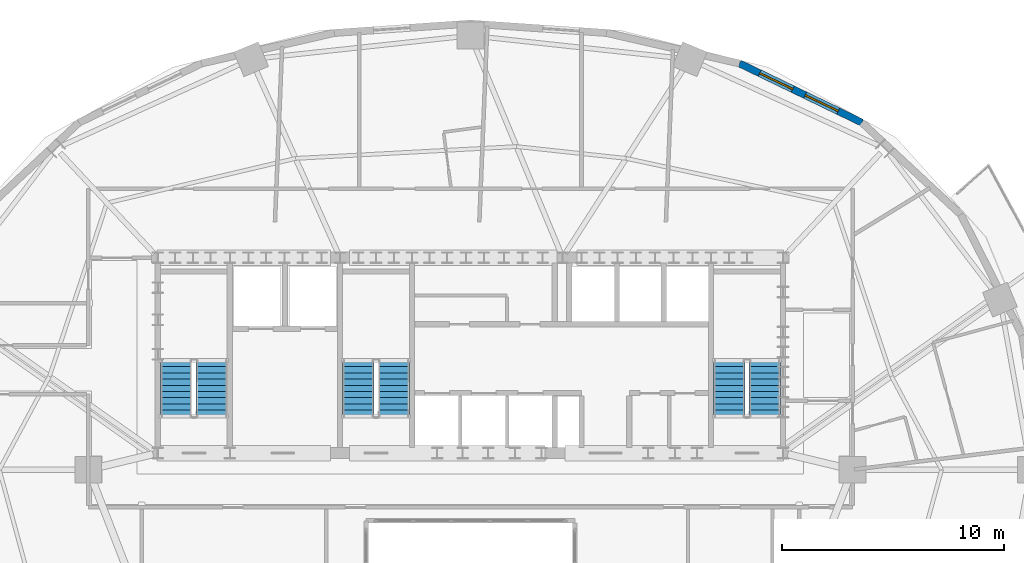
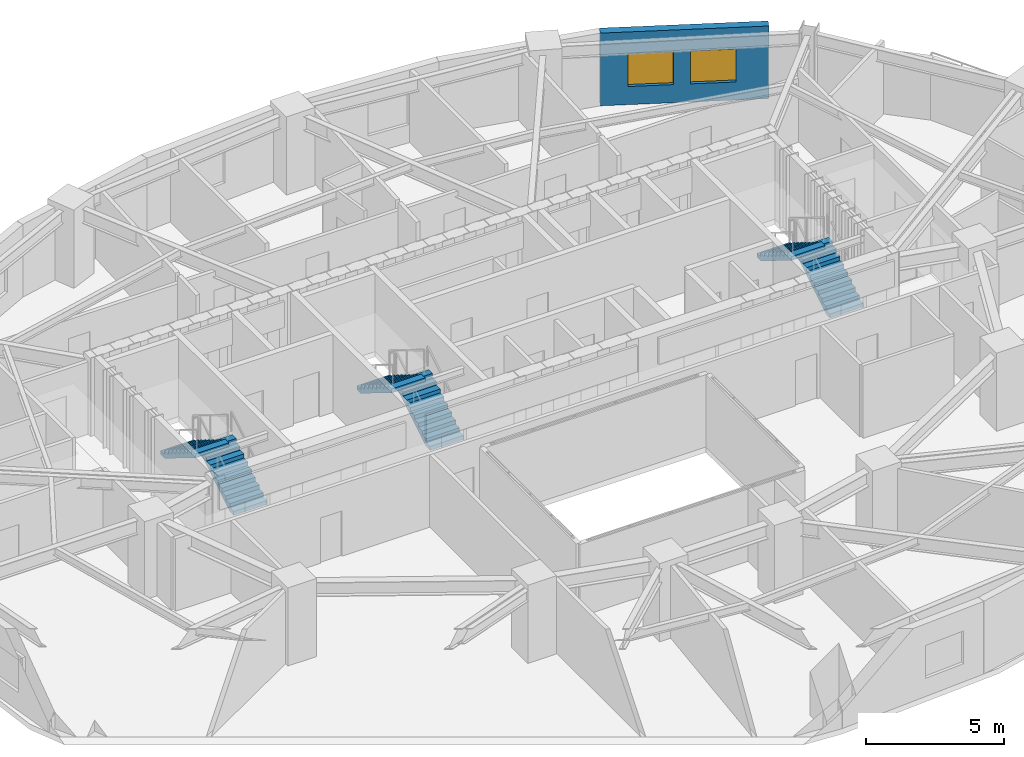
# One storey, part 9 of 13: 6 stair flights, 2 windows, 1 wall, 2 openings, 3 elements without a shape of their own.
"""IFC4 building model written with IfcOpenShell, lengths in metres."""

from ifc_helpers import new_model, si_unit, direction, frame, frame_2d, origin, place, context, subcontext, project, spatial, polyline, rectangle, outline, extrude, material, layer, layer_set, type_object, element, fill, aggregate, save


model = new_model("IFC4")

# Units and contexts
model_context = context("Model", 3, precision=1e-05, world=origin(), true_north=direction((0.0, 1.0)))
body_context = subcontext(model_context, "Body", "Model", "MODEL_VIEW")
ifc_project = project(units=[si_unit("LENGTHUNIT", "METRE"), si_unit("AREAUNIT", "SQUARE_METRE"), si_unit("VOLUMEUNIT", "CUBIC_METRE"), si_unit("PLANEANGLEUNIT", "RADIAN"), si_unit("MASSUNIT", "GRAM", prefix="KILO")], contexts=[model_context])

# Site, building, storey
site_placement = place(None, origin())
site = spatial("IfcSite", under=ifc_project, at=site_placement, CompositionType="ELEMENT")
building_placement = place(site_placement, origin())
building = spatial("IfcBuilding", under=site, at=building_placement, Name="Haldorwick Loom Tower", CompositionType="ELEMENT")
storey_placement = place(building_placement, frame((0.0, 0.0, 135.64990234375)))
storey = spatial("IfcBuildingStorey", under=building, at=storey_placement, Name="L36", CompositionType="ELEMENT", Elevation=135.64990234375)

# Wall, openings, windows
ifc_material_1 = material(Name="Pressed Clay Face Brick and Insulated Masonry Backup Assembly", Category="masonry")
ifc_layer = layer(ifc_material_1, 0.320068359375, Name="Pressed Clay Face Brick and Insulated Masonry Backup Assembly", Category="masonry")
ifc_layer_set = layer_set([ifc_layer], Name="Pressed Clay Face Brick and Insulated Masonry Backup Assembly")
wall_type = type_object("IfcWallType", Name="ARC-WL-EXT320", PredefinedType="STANDARD", material=ifc_layer_set)
wall_placement = place(storey_placement, frame((53.62109375, 41.628173828125, 0.0), z_axis=(0.0, 0.0, 1.0), x_axis=(-0.900472429216, 0.43491309962, 0.0)))
wall = element("IfcWall", 1, at=wall_placement, inside=storey, type_object=wall_type, Name="L36 Brick Pier and Spandrel Wall 4", PredefinedType="STANDARD", context=body_context, shape_type="SweptSolid", body=[
    extrude(rectangle(XDim=6.1181640625, YDim=0.320068359375, at=frame_2d((3.05908203125, 0.0))), origin(), (0.0, 0.0, 1.0), 3.210205078125),
])
opening_1_placement = place(wall_placement, frame((1.181884765625, 0.0, 0.800048828125)))
opening_1 = element("IfcOpeningElement", 2, at=opening_1_placement, cuts=wall, Name="Opening W-01B", PredefinedType="OPENING", context=body_context, shape_type="SweptSolid", body=[
    extrude(rectangle(XDim=1.64990234375, YDim=1.449951171875, at=frame_2d((0.824951171875, 0.72509765625))), frame((0.0, 0.169921875, 0.0), z_axis=(0.0, -1.0, 0.0), x_axis=(1.0, 0.0, 0.0)), (0.0, 0.0, 1.0), 0.340087890625),
])
opening_2_placement = place(wall_placement, frame((3.4580078125, 0.0, 0.800048828125)))
opening_2 = element("IfcOpeningElement", 3, at=opening_2_placement, cuts=wall, Name="Opening W-01B", PredefinedType="OPENING", context=body_context, shape_type="SweptSolid", body=[
    extrude(rectangle(XDim=1.64990234375, YDim=1.449951171875, at=frame_2d((0.824951171875, 0.72509765625))), frame((0.0, 0.169921875, 0.0), z_axis=(0.0, -1.0, 0.0), x_axis=(1.0, 0.0, 0.0)), (0.0, 0.0, 1.0), 0.340087890625),
])
ifc_material_2 = material(Name="Triple-Glazed Low-E Argon Insulated Glazing Unit", Category="glass")
window_type = type_object("IfcWindowType", Name="ARC-WIN-W165", PartitioningType="SINGLE_PANEL", PredefinedType="WINDOW", material=ifc_material_2)
window_1_placement = place(opening_1_placement, origin())
window_1 = element("IfcWindow", 4, at=window_1_placement, inside=storey, type_object=window_type, Name="L36 Deep-Set Zone 7A Window 4", OverallHeight=1.449951171875, OverallWidth=1.64990234375, PartitioningType="SINGLE_PANEL", PredefinedType="WINDOW", context=body_context, shape_type="SweptSolid", body=[
    extrude(rectangle(XDim=1.64990234375, YDim=1.449951171875, at=frame_2d((0.824951171875, 0.72509765625))), frame((0.0, 0.030029296875, 0.0), z_axis=(0.0, -1.0, 0.0), x_axis=(1.0, 0.0, 0.0)), (0.0, 0.0, 1.0), 0.06005859375),
])
fill(opening_1, window_1)
window_2_placement = place(opening_2_placement, origin())
window_2 = element("IfcWindow", 5, at=window_2_placement, inside=storey, type_object=window_type, Name="L36 Deep-Set Zone 7A Window 4", OverallHeight=1.449951171875, OverallWidth=1.64990234375, PartitioningType="SINGLE_PANEL", PredefinedType="WINDOW", context=body_context, shape_type="SweptSolid", body=[
    extrude(rectangle(XDim=1.64990234375, YDim=1.449951171875, at=frame_2d((0.824951171875, 0.72509765625))), frame((0.0, 0.030029296875, 0.0), z_axis=(0.0, -1.0, 0.0), x_axis=(1.0, 0.0, 0.0)), (0.0, 0.0, 1.0), 0.06005859375),
])
fill(opening_2, window_2)

# Stair, stair flights
ifc_material_3 = material(Name="Concrete C40 (40 MPa)", Category="concrete")
stair_type = type_object("IfcStairType", Name="STR-STR-CORE", PredefinedType="HALF_TURN_STAIR", material=ifc_material_3)
stair_1_placement = place(storey_placement, origin())
stair_1 = element("IfcStair", 6, at=stair_1_placement, inside=storey, type_object=stair_type, Name="L36 Exit Stair ST-01", PredefinedType="HALF_TURN_STAIR")
stair_flight_type = type_object("IfcStairFlightType", Name="STR-STF-1250", PredefinedType="STRAIGHT", material=ifc_material_3)
stair_flight_1_placement = place(storey_placement, frame((24.35009765625, 28.39990234375, 0.0), z_axis=(0.0, 0.0, 1.0), x_axis=(0.0, 1.0, 0.0)))
stair_flight_1 = element("IfcStairFlight", 7, at=stair_flight_1_placement, type_object=stair_flight_type, Name="ST-01 flight 1", NumberOfRisers=10, NumberOfTreads=9, PredefinedType="STRAIGHT", RiserHeight=0.1725, TreadLength=0.28, context=body_context, shape_type="SweptSolid", body=[
    extrude(outline(polyline([(0.0, 0.0), (0.0, 0.172607421875), (0.280029296875, 0.172607421875), (0.280029296875, 0.344970703125), (0.56005859375, 0.344970703125), (0.56005859375, 0.517578125), (0.840087890625, 0.517578125), (0.840087890625, 0.68994140625), (1.1201171875, 0.68994140625), (1.1201171875, 0.862548828125), (1.39990234375, 0.862548828125), (1.39990234375, 1.034912109375), (1.679931640625, 1.034912109375), (1.679931640625, 1.20751953125), (1.9599609375, 1.20751953125), (1.9599609375, 1.3798828125), (2.239990234375, 1.3798828125), (2.239990234375, 1.552490234375), (2.52001953125, 1.552490234375), (2.52001953125, 1.72509765625), (2.52001953125, 1.37646484375), (0.285888671875, 0.0), (0.0, 0.0)])), frame((0.0, 0.699951171875, 0.0), z_axis=(0.0, -1.0, 0.0), x_axis=(1.0, 0.0, 0.0)), (0.0, 0.0, 1.0), 1.39990234375),
])
stair_flight_2_placement = place(storey_placement, frame((22.75, 30.919921875, 1.72509765625), z_axis=(0.0, 0.0, 1.0), x_axis=(0.0, -1.0, 0.0)))
stair_flight_2 = element("IfcStairFlight", 8, at=stair_flight_2_placement, type_object=stair_flight_type, Name="ST-01 flight 2", NumberOfRisers=10, NumberOfTreads=9, PredefinedType="STRAIGHT", RiserHeight=0.1725, TreadLength=0.28, context=body_context, shape_type="SweptSolid", body=[
    extrude(outline(polyline([(0.0, 0.0), (0.0, 0.172607421875), (0.280029296875, 0.172607421875), (0.280029296875, 0.344970703125), (0.56005859375, 0.344970703125), (0.56005859375, 0.517578125), (0.840087890625, 0.517578125), (0.840087890625, 0.68994140625), (1.1201171875, 0.68994140625), (1.1201171875, 0.862548828125), (1.39990234375, 0.862548828125), (1.39990234375, 1.034912109375), (1.679931640625, 1.034912109375), (1.679931640625, 1.20751953125), (1.9599609375, 1.20751953125), (1.9599609375, 1.3798828125), (2.239990234375, 1.3798828125), (2.239990234375, 1.552490234375), (2.52001953125, 1.552490234375), (2.52001953125, 1.72509765625), (2.52001953125, 1.37646484375), (0.285888671875, 0.0), (0.0, 0.0)])), frame((0.0, 0.699951171875, 0.0), z_axis=(0.0, -1.0, 0.0), x_axis=(1.0, 0.0, 0.0)), (0.0, 0.0, 1.0), 1.39990234375),
])
aggregate(stair_1, [stair_flight_1, stair_flight_2])

stair_2_placement = place(storey_placement, origin())
stair_2 = element("IfcStair", 9, at=stair_2_placement, inside=storey, type_object=stair_type, Name="L36 Exit Stair ST-02", PredefinedType="HALF_TURN_STAIR")
stair_flight_3_placement = place(storey_placement, frame((49.25, 28.39990234375, 0.0), z_axis=(0.0, 0.0, 1.0), x_axis=(0.0, 1.0, 0.0)))
stair_flight_3 = element("IfcStairFlight", 10, at=stair_flight_3_placement, type_object=stair_flight_type, Name="ST-02 flight 1", NumberOfRisers=10, NumberOfTreads=9, PredefinedType="STRAIGHT", RiserHeight=0.1725, TreadLength=0.28, context=body_context, shape_type="SweptSolid", body=[
    extrude(outline(polyline([(0.0, 0.0), (0.0, 0.172607421875), (0.280029296875, 0.172607421875), (0.280029296875, 0.344970703125), (0.56005859375, 0.344970703125), (0.56005859375, 0.517578125), (0.840087890625, 0.517578125), (0.840087890625, 0.68994140625), (1.1201171875, 0.68994140625), (1.1201171875, 0.862548828125), (1.39990234375, 0.862548828125), (1.39990234375, 1.034912109375), (1.679931640625, 1.034912109375), (1.679931640625, 1.20751953125), (1.9599609375, 1.20751953125), (1.9599609375, 1.3798828125), (2.239990234375, 1.3798828125), (2.239990234375, 1.552490234375), (2.52001953125, 1.552490234375), (2.52001953125, 1.72509765625), (2.52001953125, 1.37646484375), (0.285888671875, 0.0), (0.0, 0.0)])), frame((0.0, 0.699951171875, 0.0), z_axis=(0.0, -1.0, 0.0), x_axis=(1.0, 0.0, 0.0)), (0.0, 0.0, 1.0), 1.39990234375),
])
stair_flight_4_placement = place(storey_placement, frame((47.64990234375, 30.919921875, 1.72509765625), z_axis=(0.0, 0.0, 1.0), x_axis=(0.0, -1.0, 0.0)))
stair_flight_4 = element("IfcStairFlight", 11, at=stair_flight_4_placement, type_object=stair_flight_type, Name="ST-02 flight 2", NumberOfRisers=10, NumberOfTreads=9, PredefinedType="STRAIGHT", RiserHeight=0.1725, TreadLength=0.28, context=body_context, shape_type="SweptSolid", body=[
    extrude(outline(polyline([(0.0, 0.0), (0.0, 0.172607421875), (0.280029296875, 0.172607421875), (0.280029296875, 0.344970703125), (0.56005859375, 0.344970703125), (0.56005859375, 0.517578125), (0.840087890625, 0.517578125), (0.840087890625, 0.68994140625), (1.1201171875, 0.68994140625), (1.1201171875, 0.862548828125), (1.39990234375, 0.862548828125), (1.39990234375, 1.034912109375), (1.679931640625, 1.034912109375), (1.679931640625, 1.20751953125), (1.9599609375, 1.20751953125), (1.9599609375, 1.3798828125), (2.239990234375, 1.3798828125), (2.239990234375, 1.552490234375), (2.52001953125, 1.552490234375), (2.52001953125, 1.72509765625), (2.52001953125, 1.37646484375), (0.285888671875, 0.0), (0.0, 0.0)])), frame((0.0, 0.699951171875, 0.0), z_axis=(0.0, -1.0, 0.0), x_axis=(1.0, 0.0, 0.0)), (0.0, 0.0, 1.0), 1.39990234375),
])
aggregate(stair_2, [stair_flight_3, stair_flight_4])

stair_3_placement = place(storey_placement, origin())
stair_3 = element("IfcStair", 12, at=stair_3_placement, inside=storey, type_object=stair_type, Name="L36 Exit Stair ST-03", PredefinedType="HALF_TURN_STAIR")
stair_flight_5_placement = place(storey_placement, frame((32.550048828125, 28.39990234375, 0.0), z_axis=(0.0, 0.0, 1.0), x_axis=(0.0, 1.0, 0.0)))
stair_flight_5 = element("IfcStairFlight", 13, at=stair_flight_5_placement, type_object=stair_flight_type, Name="ST-03 flight 1", NumberOfRisers=10, NumberOfTreads=9, PredefinedType="STRAIGHT", RiserHeight=0.1725, TreadLength=0.28, context=body_context, shape_type="SweptSolid", body=[
    extrude(outline(polyline([(0.0, 0.0), (0.0, 0.172607421875), (0.280029296875, 0.172607421875), (0.280029296875, 0.344970703125), (0.56005859375, 0.344970703125), (0.56005859375, 0.517578125), (0.840087890625, 0.517578125), (0.840087890625, 0.68994140625), (1.1201171875, 0.68994140625), (1.1201171875, 0.862548828125), (1.39990234375, 0.862548828125), (1.39990234375, 1.034912109375), (1.679931640625, 1.034912109375), (1.679931640625, 1.20751953125), (1.9599609375, 1.20751953125), (1.9599609375, 1.3798828125), (2.239990234375, 1.3798828125), (2.239990234375, 1.552490234375), (2.52001953125, 1.552490234375), (2.52001953125, 1.72509765625), (2.52001953125, 1.37646484375), (0.285888671875, 0.0), (0.0, 0.0)])), frame((0.0, 0.699951171875, 0.0), z_axis=(0.0, -1.0, 0.0), x_axis=(1.0, 0.0, 0.0)), (0.0, 0.0, 1.0), 1.39990234375),
])
stair_flight_6_placement = place(storey_placement, frame((30.949951171875, 30.919921875, 1.72509765625), z_axis=(0.0, 0.0, 1.0), x_axis=(0.0, -1.0, 0.0)))
stair_flight_6 = element("IfcStairFlight", 14, at=stair_flight_6_placement, type_object=stair_flight_type, Name="ST-03 flight 2", NumberOfRisers=10, NumberOfTreads=9, PredefinedType="STRAIGHT", RiserHeight=0.1725, TreadLength=0.28, context=body_context, shape_type="SweptSolid", body=[
    extrude(outline(polyline([(0.0, 0.0), (0.0, 0.172607421875), (0.280029296875, 0.172607421875), (0.280029296875, 0.344970703125), (0.56005859375, 0.344970703125), (0.56005859375, 0.517578125), (0.840087890625, 0.517578125), (0.840087890625, 0.68994140625), (1.1201171875, 0.68994140625), (1.1201171875, 0.862548828125), (1.39990234375, 0.862548828125), (1.39990234375, 1.034912109375), (1.679931640625, 1.034912109375), (1.679931640625, 1.20751953125), (1.9599609375, 1.20751953125), (1.9599609375, 1.3798828125), (2.239990234375, 1.3798828125), (2.239990234375, 1.552490234375), (2.52001953125, 1.552490234375), (2.52001953125, 1.72509765625), (2.52001953125, 1.37646484375), (0.285888671875, 0.0), (0.0, 0.0)])), frame((0.0, 0.699951171875, 0.0), z_axis=(0.0, -1.0, 0.0), x_axis=(1.0, 0.0, 0.0)), (0.0, 0.0, 1.0), 1.39990234375),
])
aggregate(stair_3, [stair_flight_5, stair_flight_6])

save(model, "model.ifc")
